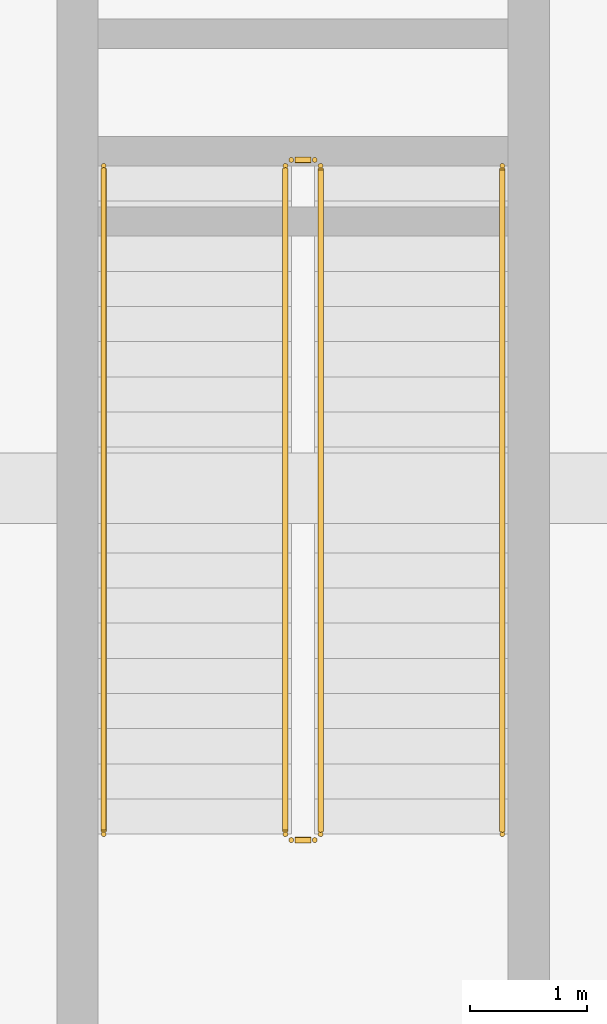
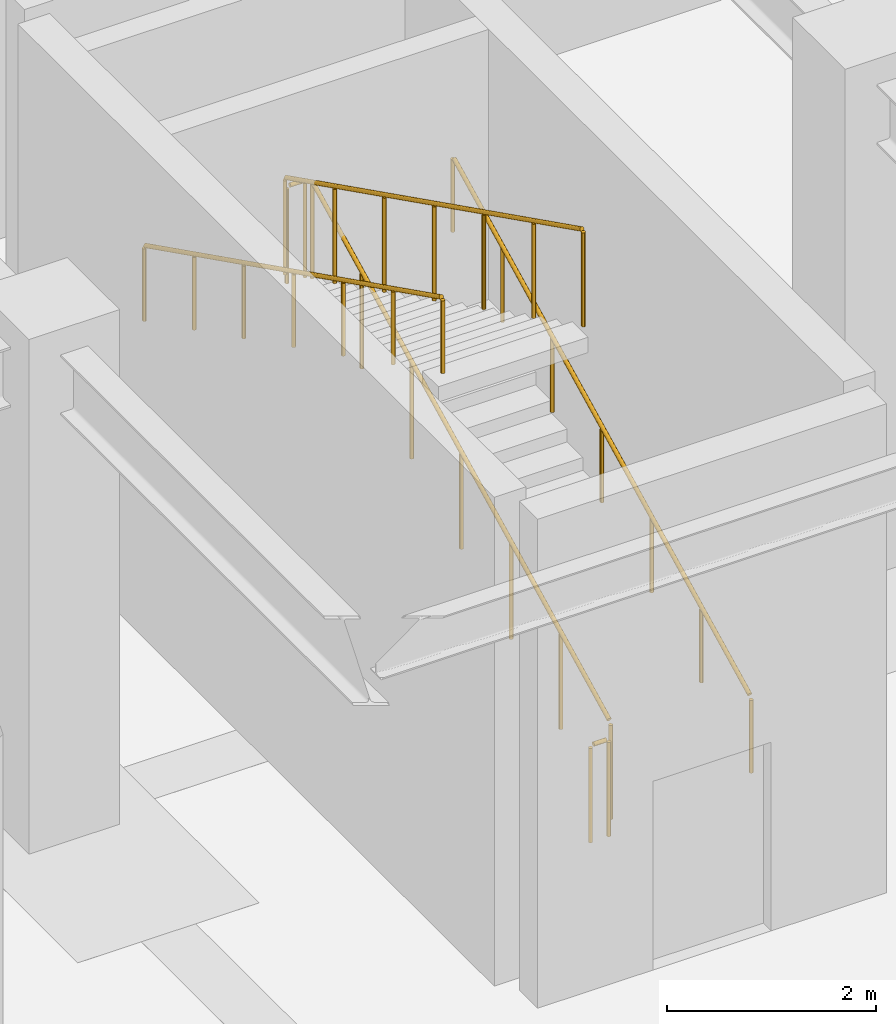
# One storey, part 30 of 36: 6 railings.
"""IFC4 building model written with IfcOpenShell, lengths in metres."""

from ifc_helpers import new_model, si_unit, direction, frame, origin, origin_2d, place, context, subcontext, project, spatial, circle, extrude, material, type_object, element, save


model = new_model("IFC4")

# Units and contexts
model_context = context("Model", 3, precision=1e-05, world=origin(), true_north=direction((0.0, 1.0)))
body_context = subcontext(model_context, "Body", "Model", "MODEL_VIEW")
ifc_project = project(units=[si_unit("LENGTHUNIT", "METRE"), si_unit("AREAUNIT", "SQUARE_METRE"), si_unit("VOLUMEUNIT", "CUBIC_METRE"), si_unit("PLANEANGLEUNIT", "RADIAN"), si_unit("MASSUNIT", "GRAM", prefix="KILO")], contexts=[model_context])

# Site, building, storey
site_placement = place(None, origin())
site = spatial("IfcSite", under=ifc_project, at=site_placement, CompositionType="ELEMENT")
building_placement = place(site_placement, origin())
building = spatial("IfcBuilding", under=site, at=building_placement, Name="Haizhuo Lancet Aquarium", CompositionType="ELEMENT")
storey_placement = place(building_placement, frame((0.0, 0.0, -6.0)))
storey = spatial("IfcBuildingStorey", under=building, at=storey_placement, Name="B1", CompositionType="ELEMENT", Elevation=-6.0)

# Railings
ifc_material = material(Name="Steel S355", Category="steel")
railing_type_1 = type_object("IfcRailingType", Name="RL-GRD-1150", PredefinedType="GUARDRAIL", material=ifc_material)
railing_1_placement = place(storey_placement, frame((-49.5, 15.050048828125, 0.14990234375)))
element("IfcRailing", 1, at=railing_1_placement, inside=storey, type_object=railing_type_1, Name="B1 ST-03 stair guard 1", PredefinedType="GUARDRAIL", context=body_context, shape_type="SweptSolid", body=[
    extrude(circle(Radius=0.02392578125, at=origin_2d()), frame((0.0, 0.02685546875, 1.13916015625), z_axis=(0.0, 0.894419528903, 0.447228919365), x_axis=(-1.0, 0.0, 0.0)), (0.0, 0.0, 1.0), 6.312744140625),
    extrude(circle(Radius=0.02099609375, at=origin_2d()), origin(), (0.0, 0.0, 1.0), 1.097900390625),
    extrude(circle(Radius=0.02099609375, at=origin_2d()), frame((0.0, 0.949951171875, 0.47509765625)), (0.0, 0.0, 1.0), 1.097900390625),
    extrude(circle(Radius=0.02099609375, at=origin_2d()), frame((0.0, 1.89990234375, 0.949951171875)), (0.0, 0.0, 1.0), 1.097900390625),
    extrude(circle(Radius=0.02099609375, at=origin_2d()), frame((0.0, 2.85009765625, 1.425048828125)), (0.0, 0.0, 1.0), 1.097900390625),
    extrude(circle(Radius=0.02099609375, at=origin_2d()), frame((0.0, 3.800048828125, 1.900146484375)), (0.0, 0.0, 1.0), 1.097900390625),
    extrude(circle(Radius=0.02099609375, at=origin_2d()), frame((0.0, 4.75, 2.375)), (0.0, 0.0, 1.0), 1.097900390625),
    extrude(circle(Radius=0.02099609375, at=origin_2d()), frame((0.0, 5.699951171875, 2.85009765625)), (0.0, 0.0, 1.0), 1.097900390625),
])
railing_2_placement = place(storey_placement, frame((-49.550048828125, 20.800048828125, 3.0)))
element("IfcRailing", 2, at=railing_2_placement, inside=storey, type_object=railing_type_1, Name="B1 ST-03 stair guard 2", PredefinedType="GUARDRAIL", context=body_context, shape_type="SweptSolid", body=[
    extrude(circle(Radius=0.02392578125, at=origin_2d()), frame((-0.030029296875, 0.0, 1.1259765625), z_axis=(-1.0, 0.0, 0.0), x_axis=(0.0, -1.0, 0.0)), (0.0, 0.0, 1.0), 0.139892578125),
    extrude(circle(Radius=0.02099609375, at=origin_2d()), origin(), (0.0, 0.0, 1.0), 1.097900390625),
    extrude(circle(Radius=0.02099609375, at=origin_2d()), frame((-0.199951171875, 0.0, 0.0)), (0.0, 0.0, 1.0), 1.097900390625),
])
railing_3_placement = place(storey_placement, frame((-49.800048828125, 20.75, 3.14990234375)))
element("IfcRailing", 3, at=railing_3_placement, inside=storey, type_object=railing_type_1, Name="B1 ST-03 stair guard 3", PredefinedType="GUARDRAIL", context=body_context, shape_type="SweptSolid", body=[
    extrude(circle(Radius=0.02392578125, at=origin_2d()), frame((0.0, -0.02685546875, 1.13916015625), z_axis=(0.0, -0.894419528903, 0.447228919365), x_axis=(1.0, 0.0, 0.0)), (0.0, 0.0, 1.0), 6.312744140625),
    extrude(circle(Radius=0.02099609375, at=origin_2d()), origin(), (0.0, 0.0, 1.0), 1.097900390625),
    extrude(circle(Radius=0.02099609375, at=origin_2d()), frame((0.0, -0.949951171875, 0.47509765625)), (0.0, 0.0, 1.0), 1.097900390625),
    extrude(circle(Radius=0.02099609375, at=origin_2d()), frame((0.0, -1.89990234375, 0.949951171875)), (0.0, 0.0, 1.0), 1.097900390625),
    extrude(circle(Radius=0.02099609375, at=origin_2d()), frame((0.0, -2.85009765625, 1.425048828125)), (0.0, 0.0, 1.0), 1.097900390625),
    extrude(circle(Radius=0.02099609375, at=origin_2d()), frame((0.0, -3.800048828125, 1.900146484375)), (0.0, 0.0, 1.0), 1.097900390625),
    extrude(circle(Radius=0.02099609375, at=origin_2d()), frame((0.0, -4.75, 2.375)), (0.0, 0.0, 1.0), 1.097900390625),
    extrude(circle(Radius=0.02099609375, at=origin_2d()), frame((0.0, -5.699951171875, 2.85009765625)), (0.0, 0.0, 1.0), 1.097900390625),
])
railing_4_placement = place(storey_placement, frame((-49.550048828125, 15.0, 0.0)))
element("IfcRailing", 4, at=railing_4_placement, inside=storey, type_object=railing_type_1, Name="B1 ST-03 stair guard 4", PredefinedType="GUARDRAIL", context=body_context, shape_type="SweptSolid", body=[
    extrude(circle(Radius=0.02392578125, at=origin_2d()), frame((-0.030029296875, 0.0, 1.1259765625), z_axis=(-1.0, 0.0, 0.0), x_axis=(0.0, -1.0, 0.0)), (0.0, 0.0, 1.0), 0.139892578125),
    extrude(circle(Radius=0.02099609375, at=origin_2d()), origin(), (0.0, 0.0, 1.0), 1.097900390625),
    extrude(circle(Radius=0.02099609375, at=origin_2d()), frame((-0.199951171875, 0.0, 0.0)), (0.0, 0.0, 1.0), 1.097900390625),
])
railing_type_2 = type_object("IfcRailingType", Name="RL-HDR-900", PredefinedType="HANDRAIL", material=ifc_material)
railing_5_placement = place(storey_placement, frame((-47.949951171875, 15.050048828125, 0.14990234375)))
element("IfcRailing", 5, at=railing_5_placement, inside=storey, type_object=railing_type_2, Name="B1 ST-03 pitch handrail 1", PredefinedType="HANDRAIL", context=body_context, shape_type="SweptSolid", body=[
    extrude(circle(Radius=0.02392578125, at=origin_2d()), frame((0.0, 0.02685546875, 0.88916015625), z_axis=(0.0, 0.894419528903, 0.447228919365), x_axis=(-1.0, 0.0, 0.0)), (0.0, 0.0, 1.0), 6.312744140625),
    extrude(circle(Radius=0.02099609375, at=origin_2d()), origin(), (0.0, 0.0, 1.0), 0.847900390625),
    extrude(circle(Radius=0.02099609375, at=origin_2d()), frame((0.0, 0.949951171875, 0.47509765625)), (0.0, 0.0, 1.0), 0.847900390625),
    extrude(circle(Radius=0.02099609375, at=origin_2d()), frame((0.0, 1.89990234375, 0.949951171875)), (0.0, 0.0, 1.0), 0.847900390625),
    extrude(circle(Radius=0.02099609375, at=origin_2d()), frame((0.0, 2.85009765625, 1.425048828125)), (0.0, 0.0, 1.0), 0.847900390625),
    extrude(circle(Radius=0.02099609375, at=origin_2d()), frame((0.0, 3.800048828125, 1.900146484375)), (0.0, 0.0, 1.0), 0.847900390625),
    extrude(circle(Radius=0.02099609375, at=origin_2d()), frame((0.0, 4.75, 2.375)), (0.0, 0.0, 1.0), 0.847900390625),
    extrude(circle(Radius=0.02099609375, at=origin_2d()), frame((0.0, 5.699951171875, 2.85009765625)), (0.0, 0.0, 1.0), 0.847900390625),
])
railing_6_placement = place(storey_placement, frame((-51.35009765625, 20.75, 3.14990234375)))
element("IfcRailing", 6, at=railing_6_placement, inside=storey, type_object=railing_type_2, Name="B1 ST-03 pitch handrail 2", PredefinedType="HANDRAIL", context=body_context, shape_type="SweptSolid", body=[
    extrude(circle(Radius=0.02392578125, at=origin_2d()), frame((0.0, -0.02685546875, 0.88916015625), z_axis=(0.0, -0.894419528903, 0.447228919365), x_axis=(1.0, 0.0, 0.0)), (0.0, 0.0, 1.0), 6.312744140625),
    extrude(circle(Radius=0.02099609375, at=origin_2d()), origin(), (0.0, 0.0, 1.0), 0.847900390625),
    extrude(circle(Radius=0.02099609375, at=origin_2d()), frame((0.0, -0.949951171875, 0.47509765625)), (0.0, 0.0, 1.0), 0.847900390625),
    extrude(circle(Radius=0.02099609375, at=origin_2d()), frame((0.0, -1.89990234375, 0.949951171875)), (0.0, 0.0, 1.0), 0.847900390625),
    extrude(circle(Radius=0.02099609375, at=origin_2d()), frame((0.0, -2.85009765625, 1.425048828125)), (0.0, 0.0, 1.0), 0.847900390625),
    extrude(circle(Radius=0.02099609375, at=origin_2d()), frame((0.0, -3.800048828125, 1.900146484375)), (0.0, 0.0, 1.0), 0.847900390625),
    extrude(circle(Radius=0.02099609375, at=origin_2d()), frame((0.0, -4.75, 2.375)), (0.0, 0.0, 1.0), 0.847900390625),
    extrude(circle(Radius=0.02099609375, at=origin_2d()), frame((0.0, -5.699951171875, 2.85009765625)), (0.0, 0.0, 1.0), 0.847900390625),
])

save(model, "model.ifc")
